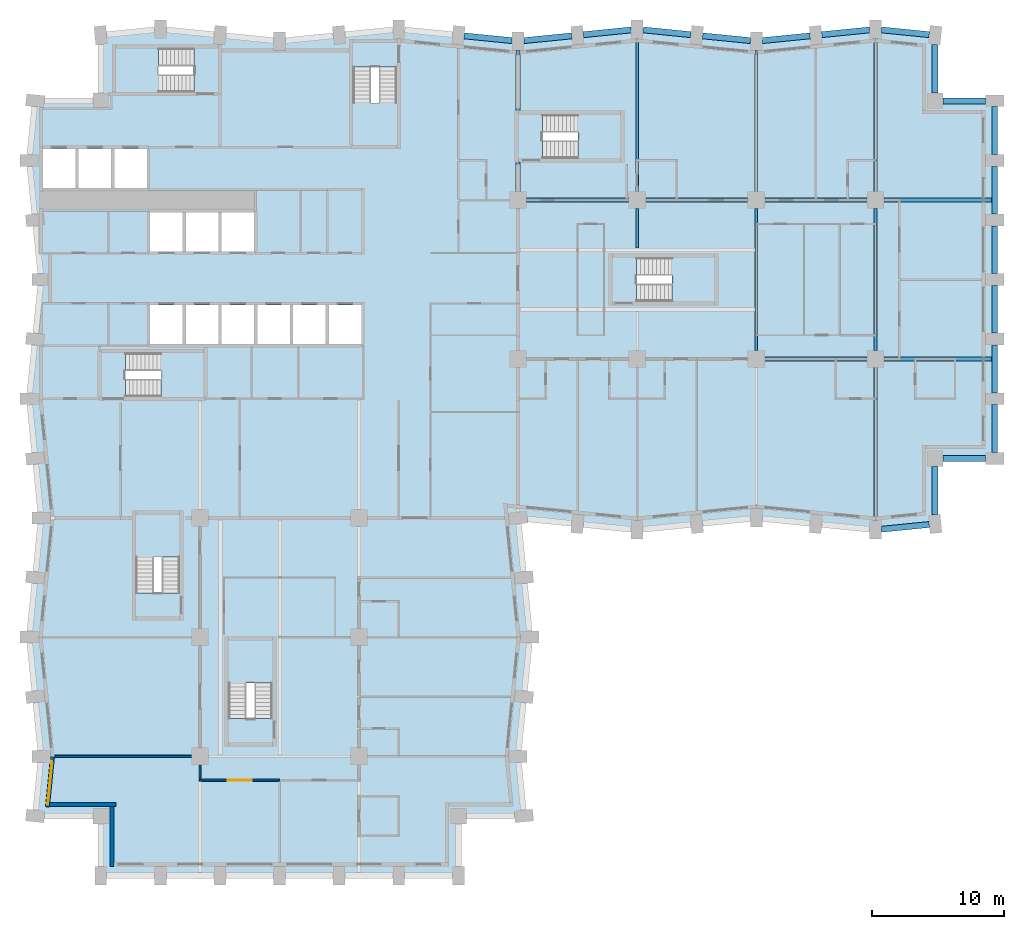
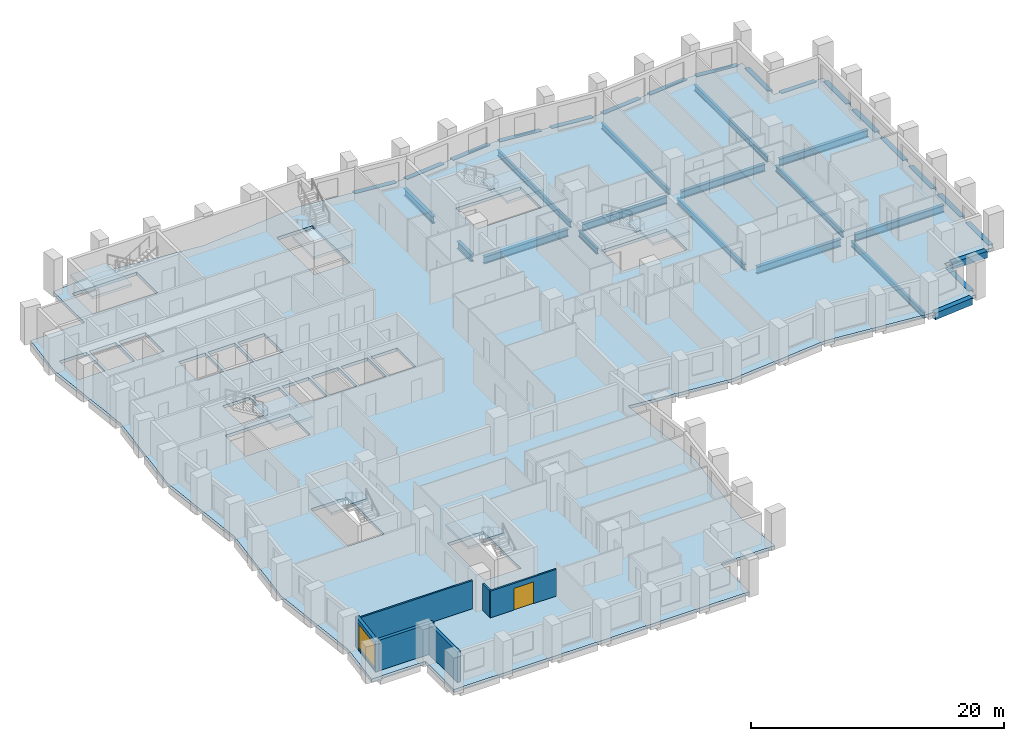
# One storey, part 2 of 12: 34 beams, 8 slabs, 6 walls, 1 door, 1 window, 2 openings, 7 elements without a shape of their own.
"""IFC4 building model written with IfcOpenShell, lengths in metres."""

from ifc_helpers import new_model, si_unit, direction, frame, frame_2d, origin, origin_2d, place, context, subcontext, project, spatial, polyline, rectangle, i_section, outline, extrude, material, layer, layer_set, material_profile, profile_set, type_object, element, fill, aggregate, save


model = new_model("IFC4")

# Units and contexts
model_context = context("Model", 3, precision=1e-05, world=origin(), true_north=direction((0.0, 1.0)))
body_context = subcontext(model_context, "Body", "Model", "MODEL_VIEW")
ifc_project = project(units=[si_unit("LENGTHUNIT", "METRE"), si_unit("AREAUNIT", "SQUARE_METRE"), si_unit("VOLUMEUNIT", "CUBIC_METRE"), si_unit("PLANEANGLEUNIT", "RADIAN"), si_unit("MASSUNIT", "GRAM", prefix="KILO")], contexts=[model_context])

# Site, building, storey
site_placement = place(None, origin())
site = spatial("IfcSite", under=ifc_project, at=site_placement, CompositionType="ELEMENT")
building_placement = place(site_placement, origin())
building = spatial("IfcBuilding", under=site, at=building_placement, Name="Brondeck Convention Tower", CompositionType="ELEMENT")
storey_placement = place(building_placement, frame((0.0, 0.0, 77.10009765625)))
storey = spatial("IfcBuildingStorey", under=building, at=storey_placement, Name="L17", CompositionType="ELEMENT", Elevation=77.10009765625)

# Beams
ifc_material_1 = material(Name="Steel S355", Category="steel")
ifc_material_profile_1 = material_profile(ifc_material_1, i_section(OverallWidth=0.2099609375, OverallDepth=0.550048828125, WebThickness=0.010986328125, FlangeThickness=0.01708984375, FilletRadius=0.02392578125, at=origin_2d()), Name="IPE 550")
ifc_profile_set_1 = profile_set([ifc_material_profile_1], Name="Steel S355")
beam_type_1 = type_object("IfcBeamType", Name="Floor beam IPE 550", PredefinedType="BEAM", material=ifc_profile_set_1)
beam_1_placement = place(storey_placement, frame((45.0, 51.64990234375, -0.5751953125), z_axis=(0.0, 1.0, 0.0), x_axis=(-1.0, 0.0, 0.0)))
element("IfcBeam", 1, at=beam_1_placement, inside=storey, type_object=beam_type_1, Name="STR-FB-L17-002", PredefinedType="BEAM", context=body_context, shape_type="SweptSolid", body=[
    extrude(i_section(OverallWidth=0.2099609375, OverallDepth=0.550048828125, WebThickness=0.010986328125, FlangeThickness=0.01708984375, FilletRadius=0.02392578125, at=origin_2d()), origin(), (0.0, 0.0, 1.0), 11.550048828125),
])
beam_2_placement = place(storey_placement, frame((54.0, 39.64990234375, -0.5751953125), z_axis=(0.0, 1.0, 0.0), x_axis=(-1.0, 0.0, 0.0)))
element("IfcBeam", 2, at=beam_2_placement, inside=storey, type_object=beam_type_1, Name="STR-FB-L17-004", PredefinedType="BEAM", context=body_context, shape_type="SweptSolid", body=[
    extrude(i_section(OverallWidth=0.2099609375, OverallDepth=0.550048828125, WebThickness=0.010986328125, FlangeThickness=0.01708984375, FilletRadius=0.02392578125, at=origin_2d()), origin(), (0.0, 0.0, 1.0), 10.7001953125),
])
beam_3_placement = place(storey_placement, frame((54.0, 51.64990234375, -0.5751953125), z_axis=(0.0, 1.0, 0.0), x_axis=(-1.0, 0.0, 0.0)))
element("IfcBeam", 3, at=beam_3_placement, inside=storey, type_object=beam_type_1, Name="STR-FB-L17-005", PredefinedType="BEAM", context=body_context, shape_type="SweptSolid", body=[
    extrude(i_section(OverallWidth=0.2099609375, OverallDepth=0.550048828125, WebThickness=0.010986328125, FlangeThickness=0.01708984375, FilletRadius=0.02392578125, at=origin_2d()), origin(), (0.0, 0.0, 1.0), 10.650146484375),
])
beam_4_placement = place(storey_placement, frame((63.0, 26.800048828125, -0.5751953125), z_axis=(0.0, 1.0, 0.0), x_axis=(-1.0, 0.0, 0.0)))
element("IfcBeam", 4, at=beam_4_placement, inside=storey, type_object=beam_type_1, Name="STR-FB-L17-006", PredefinedType="BEAM", context=body_context, shape_type="SweptSolid", body=[
    extrude(i_section(OverallWidth=0.2099609375, OverallDepth=0.550048828125, WebThickness=0.010986328125, FlangeThickness=0.01708984375, FilletRadius=0.02392578125, at=origin_2d()), origin(), (0.0, 0.0, 1.0), 11.550048828125),
])
beam_5_placement = place(storey_placement, frame((63.0, 39.64990234375, -0.5751953125), z_axis=(0.0, 1.0, 0.0), x_axis=(-1.0, 0.0, 0.0)))
element("IfcBeam", 5, at=beam_5_placement, inside=storey, type_object=beam_type_1, Name="STR-FB-L17-007", PredefinedType="BEAM", context=body_context, shape_type="SweptSolid", body=[
    extrude(i_section(OverallWidth=0.2099609375, OverallDepth=0.550048828125, WebThickness=0.010986328125, FlangeThickness=0.01708984375, FilletRadius=0.02392578125, at=origin_2d()), origin(), (0.0, 0.0, 1.0), 10.7001953125),
])
beam_6_placement = place(storey_placement, frame((63.0, 51.64990234375, -0.5751953125), z_axis=(0.0, 1.0, 0.0), x_axis=(-1.0, 0.0, 0.0)))
element("IfcBeam", 6, at=beam_6_placement, inside=storey, type_object=beam_type_1, Name="STR-FB-L17-008", PredefinedType="BEAM", context=body_context, shape_type="SweptSolid", body=[
    extrude(i_section(OverallWidth=0.2099609375, OverallDepth=0.550048828125, WebThickness=0.010986328125, FlangeThickness=0.01708984375, FilletRadius=0.02392578125, at=origin_2d()), origin(), (0.0, 0.0, 1.0), 11.550048828125),
])
beam_7_placement = place(storey_placement, frame((45.0, 47.39990234375, -0.5751953125), z_axis=(0.0, 1.0, 0.0), x_axis=(-1.0, 0.0, 0.0)))
element("IfcBeam", 7, at=beam_7_placement, inside=storey, type_object=beam_type_1, Name="STR-FB-L17-015", PredefinedType="BEAM", context=body_context, shape_type="SweptSolid", body=[
    extrude(i_section(OverallWidth=0.2099609375, OverallDepth=0.550048828125, WebThickness=0.010986328125, FlangeThickness=0.01708984375, FilletRadius=0.02392578125, at=origin_2d()), origin(), (0.0, 0.0, 1.0), 2.9501953125),
])
ifc_material_profile_2 = material_profile(ifc_material_1, i_section(OverallWidth=0.300048828125, OverallDepth=0.699951171875, WebThickness=0.01708984375, FlangeThickness=0.031982421875, FilletRadius=0.027099609375, at=origin_2d()), Name="HEB 700")
ifc_profile_set_2 = profile_set([ifc_material_profile_2], Name="Steel S355")
beam_type_2 = type_object("IfcBeamType", Name="Girder HEB 700", PredefinedType="BEAM", material=ifc_profile_set_2)
beam_8_placement = place(storey_placement, frame((54.64990234375, 39.0, -0.650146484375), z_axis=(1.0, 0.0, 0.0), x_axis=(0.0, 1.0, 0.0)))
element("IfcBeam", 8, at=beam_8_placement, inside=storey, type_object=beam_type_2, Name="STR-GR-L17-003", PredefinedType="BEAM", context=body_context, shape_type="SweptSolid", body=[
    extrude(i_section(OverallWidth=0.300048828125, OverallDepth=0.699951171875, WebThickness=0.01708984375, FlangeThickness=0.031982421875, FilletRadius=0.027099609375, at=origin_2d()), origin(), (0.0, 0.0, 1.0), 7.7001953125),
])
beam_9_placement = place(storey_placement, frame((63.64990234375, 39.0, -0.650146484375), z_axis=(1.0, 0.0, 0.0), x_axis=(0.0, 1.0, 0.0)))
element("IfcBeam", 9, at=beam_9_placement, inside=storey, type_object=beam_type_2, Name="STR-GR-L17-004", PredefinedType="BEAM", context=body_context, shape_type="SweptSolid", body=[
    extrude(i_section(OverallWidth=0.300048828125, OverallDepth=0.699951171875, WebThickness=0.01708984375, FlangeThickness=0.031982421875, FilletRadius=0.027099609375, at=origin_2d()), origin(), (0.0, 0.0, 1.0), 8.125),
])
for number, where, z_axis, x_axis, name in (
    (10, (36.64990234375, 51.0, -0.650146484375), (1.0, 0.0, 0.0), (0.0, 1.0, 0.0), "STR-GR-L17-005"),
    (11, (45.64990234375, 51.0, -0.650146484375), (1.0, 0.0, 0.0), (0.0, 1.0, 0.0), "STR-GR-L17-006"),
    (12, (54.64990234375, 51.0, -0.650146484375), (1.0, 0.0, 0.0), (0.0, 1.0, 0.0), "STR-GR-L17-007"),
):
    element("IfcBeam", number, at=place(storey_placement, frame(where, z_axis=z_axis, x_axis=x_axis)), inside=storey, type_object=beam_type_2, Name=name, PredefinedType="BEAM", context=body_context, shape_type="SweptSolid", body=[
        extrude(i_section(OverallWidth=0.300048828125, OverallDepth=0.699951171875, WebThickness=0.01708984375, FlangeThickness=0.031982421875, FilletRadius=0.027099609375, at=origin_2d()), origin(), (0.0, 0.0, 1.0), 7.7001953125),
    ])
beam_10_placement = place(storey_placement, frame((63.64990234375, 51.0, -0.650146484375), z_axis=(1.0, 0.0, 0.0), x_axis=(0.0, 1.0, 0.0)))
element("IfcBeam", 13, at=beam_10_placement, inside=storey, type_object=beam_type_2, Name="STR-GR-L17-008", PredefinedType="BEAM", context=body_context, shape_type="SweptSolid", body=[
    extrude(i_section(OverallWidth=0.300048828125, OverallDepth=0.699951171875, WebThickness=0.01708984375, FlangeThickness=0.031982421875, FilletRadius=0.027099609375, at=origin_2d()), origin(), (0.0, 0.0, 1.0), 8.125),
])
beam_11_placement = place(storey_placement, frame((36.0, 51.64990234375, -0.650146484375), z_axis=(0.0, 1.0, 0.0), x_axis=(-1.0, 0.0, 0.0)))
element("IfcBeam", 14, at=beam_11_placement, inside=storey, type_object=beam_type_2, Name="STR-GR-L17-011", PredefinedType="BEAM", context=body_context, shape_type="SweptSolid", body=[
    extrude(i_section(OverallWidth=0.300048828125, OverallDepth=0.699951171875, WebThickness=0.01708984375, FlangeThickness=0.031982421875, FilletRadius=0.027099609375, at=origin_2d()), origin(), (0.0, 0.0, 1.0), 2.22998046875),
])
beam_12_placement = place(storey_placement, frame((36.0, 57.719970703125, -0.650146484375), z_axis=(0.0, 1.0, 0.0), x_axis=(-1.0, 0.0, 0.0)))
element("IfcBeam", 15, at=beam_12_placement, inside=storey, type_object=beam_type_2, Name="STR-GR-L17-012", PredefinedType="BEAM", context=body_context, shape_type="SweptSolid", body=[
    extrude(i_section(OverallWidth=0.300048828125, OverallDepth=0.699951171875, WebThickness=0.01708984375, FlangeThickness=0.031982421875, FilletRadius=0.027099609375, at=origin_2d()), origin(), (0.0, 0.0, 1.0), 4.580078125),
])
ifc_material_2 = material(Name="Concrete C80/95", Category="concrete")
ifc_material_profile_3 = material_profile(ifc_material_2, rectangle(XDim=0.449951171875, YDim=0.64990234375, at=origin_2d()), Name="Precast spandrel 450x650 Concrete C80/95")
ifc_profile_set_3 = profile_set([ifc_material_profile_3], Name="Concrete C80/95")
beam_type_3 = type_object("IfcBeamType", Name="Precast spandrel 450x650 Concrete C80/95", PredefinedType="SPANDREL", material=ifc_profile_set_3)
beam_13_placement = place(storey_placement, frame((63.449951171875, 26.14501953125, -0.3251953125), z_axis=(0.995040528141, 0.099470334057, 0.0), x_axis=(-0.099470334057, 0.995040528141, 0.0)))
element("IfcBeam", 16, at=beam_13_placement, inside=storey, type_object=beam_type_3, Name="STR-SP-L17-020", PredefinedType="SPANDREL", context=body_context, shape_type="SweptSolid", body=[
    extrude(rectangle(XDim=0.449951171875, YDim=0.64990234375, at=origin_2d()), origin(), (0.0, 0.0, 1.0), 3.620361328125),
])
beam_14_placement = place(storey_placement, frame((67.5, 27.25341796875, -0.3251953125), z_axis=(0.0, 1.0, 0.0), x_axis=(-1.0, 0.0, 0.0)))
element("IfcBeam", 17, at=beam_14_placement, inside=storey, type_object=beam_type_3, Name="STR-SP-L17-021", PredefinedType="SPANDREL", context=body_context, shape_type="SweptSolid", body=[
    extrude(rectangle(XDim=0.449951171875, YDim=0.64990234375, at=origin_2d()), origin(), (0.0, 0.0, 1.0), 3.646484375),
])
beam_15_placement = place(storey_placement, frame((68.10009765625, 31.5, -0.3251953125), z_axis=(1.0, 0.0, 0.0), x_axis=(0.0, 1.0, 0.0)))
element("IfcBeam", 18, at=beam_15_placement, inside=storey, type_object=beam_type_3, Name="STR-SP-L17-022", PredefinedType="SPANDREL", context=body_context, shape_type="SweptSolid", body=[
    extrude(rectangle(XDim=0.449951171875, YDim=0.64990234375, at=origin_2d()), origin(), (0.0, 0.0, 1.0), 3.199951171875),
])
for number, where, z_axis, x_axis, name in (
    (19, (72.0, 31.949951171875, -0.3251953125), (0.0, 1.0, 0.0), (-1.0, 0.0, 0.0), "STR-SP-L17-023"),
    (20, (72.0, 36.449951171875, -0.3251953125), (0.0, 1.0, 0.0), (-1.0, 0.0, 0.0), "STR-SP-L17-024"),
    (21, (72.0, 40.949951171875, -0.3251953125), (0.0, 1.0, 0.0), (-1.0, 0.0, 0.0), "STR-SP-L17-025"),
    (22, (72.0, 45.449951171875, -0.3251953125), (0.0, 1.0, 0.0), (-1.0, 0.0, 0.0), "STR-SP-L17-026"),
    (23, (72.0, 49.949951171875, -0.3251953125), (0.0, 1.0, 0.0), (-1.0, 0.0, 0.0), "STR-SP-L17-027"),
    (24, (72.0, 54.449951171875, -0.3251953125), (0.0, 1.0, 0.0), (-1.0, 0.0, 0.0), "STR-SP-L17-028"),
):
    element("IfcBeam", number, at=place(storey_placement, frame(where, z_axis=z_axis, x_axis=x_axis)), inside=storey, type_object=beam_type_3, Name=name, PredefinedType="SPANDREL", context=body_context, shape_type="SweptSolid", body=[
        extrude(rectangle(XDim=0.449951171875, YDim=0.64990234375, at=origin_2d()), origin(), (0.0, 0.0, 1.0), 3.60009765625),
    ])
beam_16_placement = place(storey_placement, frame((71.300048828125, 58.5, -0.3251953125), z_axis=(-1.0, 0.0, 0.0), x_axis=(0.0, -1.0, 0.0)))
element("IfcBeam", 25, at=beam_16_placement, inside=storey, type_object=beam_type_3, Name="STR-SP-L17-029", PredefinedType="SPANDREL", context=body_context, shape_type="SweptSolid", body=[
    extrude(rectangle(XDim=0.449951171875, YDim=0.64990234375, at=origin_2d()), origin(), (0.0, 0.0, 1.0), 3.199951171875),
])
beam_17_placement = place(storey_placement, frame((67.5, 59.10009765625, -0.3251953125), z_axis=(0.0, 1.0, 0.0), x_axis=(-1.0, 0.0, 0.0)))
element("IfcBeam", 26, at=beam_17_placement, inside=storey, type_object=beam_type_3, Name="STR-SP-L17-030", PredefinedType="SPANDREL", context=body_context, shape_type="SweptSolid", body=[
    extrude(rectangle(XDim=0.449951171875, YDim=0.64990234375, at=origin_2d()), origin(), (0.0, 0.0, 1.0), 3.646484375),
])
for number, where, z_axis, x_axis, name in (
    (27, (67.05224609375, 63.494873046875, -0.3251953125), (-0.995040528141, 0.099470334057, 0.0), (-0.099470334057, -0.995040528141, 0.0), "STR-SP-L17-031"),
    (28, (62.550048828125, 63.85498046875, -0.3251953125), (-0.995040528141, -0.099470334057, 0.0), (0.099470334057, -0.995040528141, 0.0), "STR-SP-L17-032"),
    (29, (58.05224609375, 63.4052734375, -0.3251953125), (-0.995033851182, -0.099537103649, 0.0), (0.099537103649, -0.995033851182, 0.0), "STR-SP-L17-033"),
    (30, (53.550048828125, 63.044921875, -0.3251953125), (-0.995033851182, 0.099537103649, 0.0), (-0.099537103649, -0.995033851182, 0.0), "STR-SP-L17-034"),
    (31, (49.05224609375, 63.494873046875, -0.3251953125), (-0.995040528141, 0.099470334057, 0.0), (-0.099470334057, -0.995040528141, 0.0), "STR-SP-L17-035"),
    (32, (44.550048828125, 63.85498046875, -0.3251953125), (-0.995040528141, -0.099470334057, 0.0), (0.099470334057, -0.995040528141, 0.0), "STR-SP-L17-036"),
    (33, (40.05224609375, 63.4052734375, -0.3251953125), (-0.995033851182, -0.099537103649, 0.0), (0.099537103649, -0.995033851182, 0.0), "STR-SP-L17-037"),
    (34, (35.550048828125, 63.044921875, -0.3251953125), (-0.995033851182, 0.099537103649, 0.0), (-0.099537103649, -0.995033851182, 0.0), "STR-SP-L17-038"),
):
    element("IfcBeam", number, at=place(storey_placement, frame(where, z_axis=z_axis, x_axis=x_axis)), inside=storey, type_object=beam_type_3, Name=name, PredefinedType="SPANDREL", context=body_context, shape_type="SweptSolid", body=[
        extrude(rectangle(XDim=0.449951171875, YDim=0.64990234375, at=origin_2d()), origin(), (0.0, 0.0, 1.0), 3.620361328125),
    ])

# Slab
ifc_material_3 = material(Name="Concrete C35/45", Category="concrete")
ifc_layer_1 = layer(ifc_material_3, 0.300048828125)
ifc_layer_set_1 = layer_set([ifc_layer_1], Name="Composite floor slab 300")
slab_type_1 = type_object("IfcSlabType", Name="Composite floor slab 300", PredefinedType="FLOOR", material=ifc_layer_set_1)
slab_1_placement = place(storey_placement, frame((0.0, 0.0, -0.300048828125)))
element("IfcSlab", 35, at=slab_1_placement, inside=storey, type_object=slab_type_1, Name="STR-SL-L17", PredefinedType="FLOOR", context=body_context, shape_type="SweptSolid", body=[
    extrude(outline(polyline([(4.5, 4.5), (-0.449951171875, 4.5), (0.0, 9.0), (-0.89990234375, 18.0), (0.0, 27.0), (-0.89990234375, 36.0), (0.0, 45.0), (-0.89990234375, 54.0), (-0.449951171875, 58.5), (4.5, 58.5), (4.5, 63.449951171875), (9.0, 63.89990234375), (18.0, 63.0), (27.0, 63.89990234375), (36.0, 63.0), (45.0, 63.89990234375), (54.0, 63.0), (63.0, 63.89990234375), (67.5, 63.449951171875), (67.5, 58.5), (72.0, 58.5), (72.0, 31.5), (67.5, 31.5), (67.5, 26.550048828125), (63.0, 26.10009765625), (54.0, 27.0), (45.0, 26.10009765625), (36.0, 27.0), (36.89990234375, 18.0), (36.0, 9.0), (36.449951171875, 4.5), (31.5, 4.5), (31.5, 0.0), (4.5, 0.0), (4.5, 4.5)]), holes=[polyline([(10.447998046875, 27.248046875), (7.152099609375, 27.248046875), (7.152099609375, 21.35205078125), (10.447998046875, 21.35205078125), (10.447998046875, 27.248046875)]), polyline([(12.248046875, 36.152099609375), (12.248046875, 39.447998046875), (6.35205078125, 39.447998046875), (6.35205078125, 36.152099609375), (12.248046875, 36.152099609375)]), polyline([(10.675048828125, 40.125), (10.675048828125, 43.074951171875), (8.22509765625, 43.074951171875), (8.22509765625, 40.125), (10.675048828125, 40.125)]), polyline([(13.375, 40.125), (13.375, 43.074951171875), (10.925048828125, 43.074951171875), (10.925048828125, 40.125), (13.375, 40.125)]), polyline([(10.675048828125, 47.125), (10.675048828125, 50.074951171875), (8.22509765625, 50.074951171875), (8.22509765625, 47.125), (10.675048828125, 47.125)]), polyline([(13.375, 47.125), (13.375, 50.074951171875), (10.925048828125, 50.074951171875), (10.925048828125, 47.125), (13.375, 47.125)]), polyline([(2.574951171875, 51.925048828125), (2.574951171875, 54.875), (0.125, 54.875), (0.125, 51.925048828125), (2.574951171875, 51.925048828125)]), polyline([(2.824951171875, 51.925048828125), (5.27490234375, 51.925048828125), (5.27490234375, 54.875), (2.824951171875, 54.875), (2.824951171875, 51.925048828125)]), polyline([(5.52490234375, 51.925048828125), (7.97509765625, 51.925048828125), (7.97509765625, 54.875), (5.52490234375, 54.875), (5.52490234375, 51.925048828125)]), polyline([(5.652099609375, 62.447998046875), (5.652099609375, 59.152099609375), (11.548095703125, 59.152099609375), (11.548095703125, 62.447998046875), (5.652099609375, 62.447998046875)]), polyline([(17.447998046875, 17.748046875), (14.152099609375, 17.748046875), (14.152099609375, 11.85205078125), (17.447998046875, 11.85205078125), (17.447998046875, 17.748046875)]), polyline([(16.074951171875, 40.125), (16.074951171875, 43.074951171875), (13.625, 43.074951171875), (13.625, 40.125), (16.074951171875, 40.125)]), polyline([(16.324951171875, 40.125), (18.77490234375, 40.125), (18.77490234375, 43.074951171875), (16.324951171875, 43.074951171875), (16.324951171875, 40.125)]), polyline([(19.02490234375, 40.125), (21.47509765625, 40.125), (21.47509765625, 43.074951171875), (19.02490234375, 43.074951171875), (19.02490234375, 40.125)]), polyline([(24.175048828125, 40.125), (24.175048828125, 43.074951171875), (21.72509765625, 43.074951171875), (21.72509765625, 40.125), (24.175048828125, 40.125)]), polyline([(50.847900390625, 43.35205078125), (50.847900390625, 46.64794921875), (44.951904296875, 46.64794921875), (44.951904296875, 43.35205078125), (50.847900390625, 43.35205078125)]), polyline([(16.074951171875, 47.125), (16.074951171875, 50.074951171875), (13.625, 50.074951171875), (13.625, 47.125), (16.074951171875, 47.125)]), polyline([(37.85205078125, 54.152099609375), (43.748046875, 54.152099609375), (43.748046875, 57.447998046875), (37.85205078125, 57.447998046875), (37.85205078125, 54.152099609375)]), polyline([(23.552001953125, 61.048095703125), (23.552001953125, 55.152099609375), (26.847900390625, 55.152099609375), (26.847900390625, 61.048095703125), (23.552001953125, 61.048095703125)])]), origin(), (0.0, 0.0, 1.0), 0.300048828125),
])

# Stair, slab
ifc_material_4 = material(Name="Precast concrete C50/60", Category="concrete")
stair_type = type_object("IfcStairType", Name="Core stair 20 risers 180.00 mm riser 300 mm going 1350 wide", PredefinedType="HALF_TURN_STAIR", material=ifc_material_4)
stair_1_placement = place(storey_placement, origin())
stair_1 = element("IfcStair", 36, at=stair_1_placement, inside=storey, type_object=stair_type, Name="ST-1 L17 stair", PredefinedType="HALF_TURN_STAIR")
ifc_layer_2 = layer(ifc_material_4, 0.25)
ifc_layer_set_2 = layer_set([ifc_layer_2], Name="Core stair landing 250 Precast concrete C50/60")
slab_type_2 = type_object("IfcSlabType", Name="Core stair landing 250 Precast concrete C50/60", PredefinedType="LANDING", material=ifc_layer_set_2)
slab_2_placement = place(storey_placement, frame((0.0, 0.0, 1.5498046875)))
slab_2 = element("IfcSlab", 37, at=slab_2_placement, type_object=slab_type_2, Name="ST-1 landing 1", PredefinedType="LANDING", context=body_context, shape_type="SweptSolid", body=[
    extrude(outline(polyline([(9.048095703125, 37.5), (9.050048828125, 37.5), (9.050048828125, 38.10009765625), (8.75, 38.10009765625), (8.75, 39.570068359375), (12.3701171875, 39.570068359375), (12.3701171875, 36.030029296875), (9.048095703125, 36.030029296875), (9.048095703125, 37.5)])), origin(), (0.0, 0.0, 1.0), 0.25),
])
aggregate(stair_1, [slab_2])

stair_2_placement = place(storey_placement, origin())
stair_2 = element("IfcStair", 38, at=stair_2_placement, inside=storey, type_object=stair_type, Name="ST-2 L17 stair", PredefinedType="HALF_TURN_STAIR")
slab_3_placement = place(storey_placement, frame((0.0, 0.0, 1.5498046875)))
slab_3 = element("IfcSlab", 39, at=slab_3_placement, type_object=slab_type_2, Name="ST-2 landing 1", PredefinedType="LANDING", context=body_context, shape_type="SweptSolid", body=[
    extrude(outline(polyline([(23.429931640625, 58.35205078125), (24.89990234375, 58.35205078125), (24.89990234375, 58.35009765625), (25.5, 58.35009765625), (25.5, 58.64990234375), (26.969970703125, 58.64990234375), (26.969970703125, 55.030029296875), (23.429931640625, 55.030029296875), (23.429931640625, 58.35205078125)])), origin(), (0.0, 0.0, 1.0), 0.25),
])
aggregate(stair_2, [slab_3])

stair_3_placement = place(storey_placement, origin())
stair_3 = element("IfcStair", 40, at=stair_3_placement, inside=storey, type_object=stair_type, Name="ST-3 L17 stair", PredefinedType="HALF_TURN_STAIR")
slab_4_placement = place(storey_placement, frame((0.0, 0.0, 1.5498046875)))
slab_4 = element("IfcSlab", 41, at=slab_4_placement, type_object=slab_type_2, Name="ST-3 landing 1", PredefinedType="LANDING", context=body_context, shape_type="SweptSolid", body=[
    extrude(outline(polyline([(9.14990234375, 60.5), (9.14990234375, 59.030029296875), (5.530029296875, 59.030029296875), (5.530029296875, 62.570068359375), (8.85205078125, 62.570068359375), (8.85205078125, 61.10009765625), (8.85009765625, 61.10009765625), (8.85009765625, 60.5), (9.14990234375, 60.5)])), origin(), (0.0, 0.0, 1.0), 0.25),
])
aggregate(stair_3, [slab_4])

stair_4_placement = place(storey_placement, origin())
stair_4 = element("IfcStair", 42, at=stair_4_placement, inside=storey, type_object=stair_type, Name="ST-AE L17 stair", PredefinedType="HALF_TURN_STAIR")
slab_5_placement = place(storey_placement, frame((0.0, 0.0, 1.5498046875)))
slab_5 = element("IfcSlab", 43, at=slab_5_placement, type_object=slab_type_2, Name="ST-AE landing 1", PredefinedType="LANDING", context=body_context, shape_type="SweptSolid", body=[
    extrude(outline(polyline([(40.548095703125, 55.5), (40.550048828125, 55.5), (40.550048828125, 56.10009765625), (40.25, 56.10009765625), (40.25, 57.570068359375), (43.8701171875, 57.570068359375), (43.8701171875, 54.030029296875), (40.548095703125, 54.030029296875), (40.548095703125, 55.5)])), origin(), (0.0, 0.0, 1.0), 0.25),
])
aggregate(stair_4, [slab_5])

stair_5_placement = place(storey_placement, origin())
stair_5 = element("IfcStair", 44, at=stair_5_placement, inside=storey, type_object=stair_type, Name="ST-BE L17 stair", PredefinedType="HALF_TURN_STAIR")
slab_6_placement = place(storey_placement, frame((0.0, 0.0, 1.5498046875)))
slab_6 = element("IfcSlab", 45, at=slab_6_placement, type_object=slab_type_2, Name="ST-BE landing 1", PredefinedType="LANDING", context=body_context, shape_type="SweptSolid", body=[
    extrude(outline(polyline([(7.030029296875, 23.75), (7.030029296875, 27.3701171875), (10.570068359375, 27.3701171875), (10.570068359375, 24.048095703125), (9.10009765625, 24.048095703125), (9.10009765625, 24.050048828125), (8.5, 24.050048828125), (8.5, 23.75), (7.030029296875, 23.75)])), origin(), (0.0, 0.0, 1.0), 0.25),
])
aggregate(stair_5, [slab_6])

stair_6_placement = place(storey_placement, origin())
stair_6 = element("IfcStair", 46, at=stair_6_placement, inside=storey, type_object=stair_type, Name="ST-AF L17 stair", PredefinedType="HALF_TURN_STAIR")
slab_7_placement = place(storey_placement, frame((0.0, 0.0, 1.5498046875)))
slab_7 = element("IfcSlab", 47, at=slab_7_placement, type_object=slab_type_2, Name="ST-AF landing 1", PredefinedType="LANDING", context=body_context, shape_type="SweptSolid", body=[
    extrude(outline(polyline([(47.64794921875, 44.699951171875), (47.64990234375, 44.699951171875), (47.64990234375, 45.300048828125), (47.35009765625, 45.300048828125), (47.35009765625, 46.77001953125), (50.969970703125, 46.77001953125), (50.969970703125, 43.22998046875), (47.64794921875, 43.22998046875), (47.64794921875, 44.699951171875)])), origin(), (0.0, 0.0, 1.0), 0.25),
])
aggregate(stair_6, [slab_7])

stair_7_placement = place(storey_placement, origin())
stair_7 = element("IfcStair", 48, at=stair_7_placement, inside=storey, type_object=stair_type, Name="ST-BF L17 stair", PredefinedType="HALF_TURN_STAIR")
slab_8_placement = place(storey_placement, frame((0.0, 0.0, 1.5498046875)))
slab_8 = element("IfcSlab", 49, at=slab_8_placement, type_object=slab_type_2, Name="ST-BF landing 1", PredefinedType="LANDING", context=body_context, shape_type="SweptSolid", body=[
    extrude(outline(polyline([(14.030029296875, 14.25), (14.030029296875, 17.8701171875), (17.570068359375, 17.8701171875), (17.570068359375, 14.548095703125), (16.10009765625, 14.548095703125), (16.10009765625, 14.550048828125), (15.5, 14.550048828125), (15.5, 14.25), (14.030029296875, 14.25)])), origin(), (0.0, 0.0, 1.0), 0.25),
])
aggregate(stair_7, [slab_8])

# Wall, opening, window
ifc_material_5 = material(Name="Precast concrete C50/60 bronze finish", Category="concrete")
ifc_layer_3 = layer(ifc_material_5, 0.070068359375, Name="Bronze precast facing")
ifc_material_6 = material(Name="Mineral wool")
ifc_layer_4 = layer(ifc_material_6, 0.159912109375, Name="Insulation")
ifc_layer_5 = layer(ifc_material_3, 0.070068359375, Name="Backing")
ifc_layer_set_3 = layer_set([ifc_layer_3, ifc_layer_4, ifc_layer_5], Name="External infill wall, precast concrete C50/60 bronze facing")
wall_type_1 = type_object("IfcWallType", Name="External infill wall, precast concrete C50/60 bronze facing", PredefinedType="SOLIDWALL", material=ifc_layer_set_3)
wall_1_placement = place(storey_placement, frame((0.47265625, 5.18505859375, 0.0), z_axis=(0.0, 0.0, 1.0), x_axis=(0.099541845169, 0.995033376857, 0.0)))
wall_1 = element("IfcWall", 50, at=wall_1_placement, inside=storey, type_object=wall_type_1, Name="ENV-EW-L17-P0-B-W-12", PredefinedType="SOLIDWALL", context=body_context, shape_type="SweptSolid", body=[
    extrude(rectangle(XDim=3.803955078125, YDim=0.300048828125, at=frame_2d((1.90185546875, 0.0))), origin(), (0.0, 0.0, 1.0), 2.949951171875),
])
opening_1_placement = place(wall_1_placement, frame((0.14990234375, 0.0, 0.14990234375)))
opening_1 = element("IfcOpeningElement", 51, at=opening_1_placement, cuts=wall_1, Name="Opening W9", PredefinedType="OPENING", context=body_context, shape_type="SweptSolid", body=[
    extrude(rectangle(XDim=3.300048828125, YDim=2.39990234375, at=frame_2d((1.64990234375, 1.199951171875))), frame((0.0, 0.159912109375, 0.0), z_axis=(0.0, -1.0, 0.0), x_axis=(1.0, 0.0, 0.0)), (0.0, 0.0, 1.0), 0.320068359375),
])
ifc_material_7 = material(Name="Bronze tinted double glazing", Category="glass")
window_type = type_object("IfcWindowType", Name="Glazed flute window, bronze tinted", PartitioningType="SINGLE_PANEL", PredefinedType="WINDOW", material=ifc_material_7)
window_placement = place(opening_1_placement, origin())
window = element("IfcWindow", 52, at=window_placement, inside=storey, type_object=window_type, Name="ENV-WN-L17-P0-B-W-12", OverallHeight=2.39990234375, OverallWidth=3.300048828125, PartitioningType="SINGLE_PANEL", PredefinedType="WINDOW", context=body_context, shape_type="SweptSolid", body=[
    extrude(rectangle(XDim=3.300048828125, YDim=2.39990234375, at=frame_2d((1.64990234375, 1.199951171875))), frame((0.0, 0.030029296875, 0.0), z_axis=(0.0, -1.0, 0.0), x_axis=(1.0, 0.0, 0.0)), (0.0, 0.0, 1.0), 0.06005859375),
])
fill(opening_1, window)

# Walls
wall_2_placement = place(storey_placement, frame((5.64990234375, 5.35009765625, 0.0), z_axis=(0.0, 0.0, 1.0), x_axis=(-1.0, 0.0, 0.0)))
element("IfcWall", 53, at=wall_2_placement, inside=storey, type_object=wall_type_1, Name="ENV-EW-L17-P0-NC-SWB0-01", PredefinedType="SOLIDWALL", context=body_context, shape_type="SweptSolid", body=[
    extrude(rectangle(XDim=5.004638671875, YDim=0.300048828125, at=frame_2d((2.50244140625, 0.0))), origin(), (0.0, 0.0, 1.0), 2.949951171875),
])
wall_3_placement = place(storey_placement, frame((5.35009765625, 0.699951171875, 0.0), z_axis=(0.0, 0.0, 1.0), x_axis=(0.0, 1.0, 0.0)))
element("IfcWall", 54, at=wall_3_placement, inside=storey, type_object=wall_type_1, Name="ENV-EW-L17-P0-NC-SWB0-02", PredefinedType="SOLIDWALL", context=body_context, shape_type="SweptSolid", body=[
    extrude(rectangle(XDim=4.5, YDim=0.300048828125, at=frame_2d((2.25, 0.0))), origin(), (0.0, 0.0, 1.0), 2.949951171875),
])

# Wall, opening, door
ifc_material_8 = material(Name="Double gypsum board acoustic wall")
ifc_layer_6 = layer(ifc_material_8, 0.14990234375)
ifc_layer_set_4 = layer_set([ifc_layer_6], Name="Guest room party wall 150")
wall_type_2 = type_object("IfcWallType", Name="Guest room party wall 150", PredefinedType="PARTITIONING", material=ifc_layer_set_4)
wall_4_placement = place(storey_placement, frame((18.0, 7.199951171875, 0.0), z_axis=(0.0, 0.0, 1.0), x_axis=(-1.0, 0.0, 0.0)))
wall_4 = element("IfcWall", 55, at=wall_4_placement, inside=storey, type_object=wall_type_2, Name="FLR-L17-W006", PredefinedType="PARTITIONING", context=body_context, shape_type="SweptSolid", body=[
    extrude(rectangle(XDim=6.074951171875, YDim=0.14990234375, at=frame_2d((3.03759765625, 0.0))), origin(), (0.0, 0.0, 1.0), 2.579833984375),
])
opening_2_placement = place(wall_4_placement, frame((2.10009765625, 0.0, 0.0)))
opening_2 = element("IfcOpeningElement", 56, at=opening_2_placement, cuts=wall_4, Name="Opening H5-030", PredefinedType="OPENING", context=body_context, shape_type="SweptSolid", body=[
    extrude(rectangle(XDim=1.800048828125, YDim=2.10009765625, at=frame_2d((0.89990234375, 1.050048828125))), frame((0.0, 0.0849609375, 0.0), z_axis=(0.0, -1.0, 0.0), x_axis=(1.0, 0.0, 0.0)), (0.0, 0.0, 1.0), 0.169921875),
])
ifc_material_9 = material(Name="Glazed timber double door", Category="wood")
door_type = type_object("IfcDoorType", Name="Double door 1800", OperationType="DOUBLE_DOOR_SINGLE_SWING", PredefinedType="DOOR", material=ifc_material_9)
door_placement = place(opening_2_placement, origin())
door = element("IfcDoor", 57, at=door_placement, inside=storey, type_object=door_type, Name="Door H5-030", OperationType="DOUBLE_DOOR_SINGLE_SWING", OverallHeight=2.10009765625, OverallWidth=1.800048828125, PredefinedType="DOOR", context=body_context, shape_type="SweptSolid", body=[
    extrude(rectangle(XDim=1.800048828125, YDim=2.10009765625, at=frame_2d((0.89990234375, 1.050048828125))), frame((0.0, 0.02490234375, 0.0), z_axis=(0.0, -1.0, 0.0), x_axis=(1.0, 0.0, 0.0)), (0.0, 0.0, 1.0), 0.050048828125),
])
fill(opening_2, door)

# Walls
wall_5_placement = place(storey_placement, frame((12.0, 7.27490234375, 0.0), z_axis=(0.0, 0.0, 1.0), x_axis=(0.0, 1.0, 0.0)))
element("IfcWall", 58, at=wall_5_placement, inside=storey, type_object=wall_type_2, Name="FLR-L17-W008", PredefinedType="PARTITIONING", context=body_context, shape_type="SweptSolid", body=[
    extrude(rectangle(XDim=1.070068359375, YDim=0.14990234375, at=frame_2d((0.53515625, 0.0))), origin(), (0.0, 0.0, 1.0), 2.579833984375),
])
wall_6_placement = place(storey_placement, frame((11.344970703125, 9.0, 0.0), z_axis=(0.0, 0.0, 1.0), x_axis=(-1.0, 0.0, 0.0)))
element("IfcWall", 59, at=wall_6_placement, inside=storey, type_object=wall_type_2, Name="FLR-L17-W010", PredefinedType="PARTITIONING", context=body_context, shape_type="SweptSolid", body=[
    extrude(rectangle(XDim=10.320068359375, YDim=0.14990234375, at=frame_2d((5.16015625, 0.0))), origin(), (0.0, 0.0, 1.0), 2.72998046875),
])

save(model, "model.ifc")
